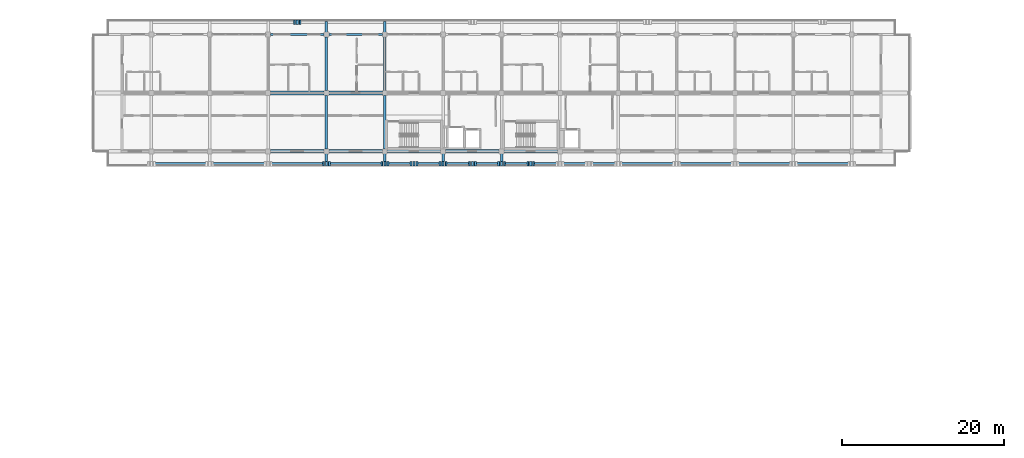
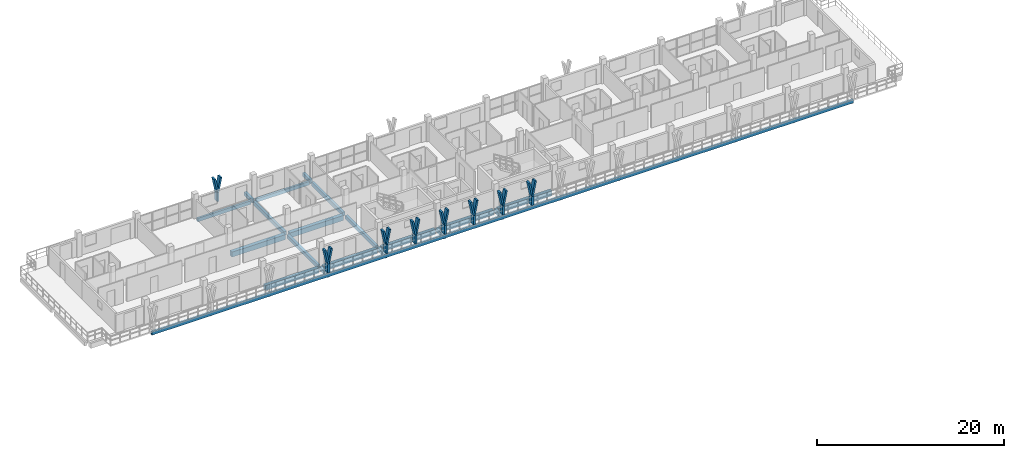
# One storey, part 10 of 67: 24 members, 20 beams.
"""IFC4 building model written with IfcOpenShell, lengths in metres."""

from ifc_helpers import new_model, si_unit, direction, frame, origin, origin_2d, place, context, subcontext, project, spatial, rectangle, extrude, material, material_profile, profile_set, type_object, element, save


model = new_model("IFC4")

# Units and contexts
model_context = context("Model", 3, precision=1e-05, world=origin(), true_north=direction((0.0, 1.0)))
body_context = subcontext(model_context, "Body", "Model", "MODEL_VIEW")
ifc_project = project(units=[si_unit("LENGTHUNIT", "METRE"), si_unit("AREAUNIT", "SQUARE_METRE"), si_unit("VOLUMEUNIT", "CUBIC_METRE"), si_unit("PLANEANGLEUNIT", "RADIAN"), si_unit("MASSUNIT", "GRAM", prefix="KILO")], contexts=[model_context])

# Site, building, storey
site_placement = place(None, origin())
site = spatial("IfcSite", under=ifc_project, at=site_placement, CompositionType="ELEMENT")
building_placement = place(site_placement, origin())
building = spatial("IfcBuilding", under=site, at=building_placement, Name="Suanplinth Sawtooth Commons", CompositionType="ELEMENT")
storey_placement = place(building_placement, frame((0.0, 0.0, 25.10009765625)))
storey = spatial("IfcBuildingStorey", under=building, at=storey_placement, Name="L07", CompositionType="ELEMENT", Elevation=25.10009765625)

# Beams
ifc_material_1 = material(Name="Precast concrete C40/50", Category="concrete")
ifc_material_profile_1 = material_profile(ifc_material_1, rectangle(XDim=0.449951171875, YDim=0.64990234375, at=origin_2d()), Name="PC-GDR 450x650")
ifc_profile_set_1 = profile_set([ifc_material_profile_1], Name="Precast concrete C40/50")
beam_type_1 = type_object("IfcBeamType", Name="B-04", PredefinedType="USERDEFINED", material=ifc_profile_set_1)
for number, where, z_axis, x_axis, name in (
    (1, (29.10009765625, 108.0, -0.545166015625), (1.0, 0.0, 0.0), (0.0, 1.0, 0.0), "BMX-L07-A-4-15"),
    (2, (29.10009765625, 115.199951171875, -0.545166015625), (1.0, 0.0, 0.0), (0.0, 1.0, 0.0), "BMX-L07-A-4-16"),
    (3, (36.300048828125, 108.0, -0.545166015625), (1.0, 0.0, 0.0), (0.0, 1.0, 0.0), "BMX-L07-A-5-15"),
    (4, (36.300048828125, 115.199951171875, -0.545166015625), (1.0, 0.0, 0.0), (0.0, 1.0, 0.0), "BMX-L07-A-5-16"),
):
    element("IfcBeam", number, at=place(storey_placement, frame(where, z_axis=z_axis, x_axis=x_axis)), inside=storey, type_object=beam_type_1, Name=name, ObjectType="GIRDER", PredefinedType="USERDEFINED", context=body_context, shape_type="SweptSolid", body=[
        extrude(rectangle(XDim=0.449951171875, YDim=0.64990234375, at=origin_2d()), origin(), (0.0, 0.0, 1.0), 6.599853515625),
    ])
for number, where, z_axis, x_axis, name in (
    (5, (43.5, 108.0, -0.545166015625), (1.0, 0.0, 0.0), (0.0, 1.0, 0.0), "BMX-L07-A-6-15"),
    (6, (50.699951171875, 108.0, -0.545166015625), (1.0, 0.0, 0.0), (0.0, 1.0, 0.0), "BMX-L07-A-7-15"),
    (7, (57.89990234375, 108.0, -0.545166015625), (1.0, 0.0, 0.0), (0.0, 1.0, 0.0), "BMX-L07-A-8-15"),
):
    element("IfcBeam", number, at=place(storey_placement, frame(where, z_axis=z_axis, x_axis=x_axis)), inside=storey, type_object=beam_type_1, Name=name, ObjectType="GIRDER", PredefinedType="USERDEFINED", context=body_context, shape_type="SweptSolid", body=[
        extrude(rectangle(XDim=0.449951171875, YDim=0.64990234375, at=origin_2d()), origin(), (0.0, 0.0, 1.0), 6.60009765625),
    ])
ifc_material_profile_2 = material_profile(ifc_material_1, rectangle(XDim=0.300048828125, YDim=0.5, at=origin_2d()), Name="PC-BM 300x500")
ifc_profile_set_2 = profile_set([ifc_material_profile_2], Name="Precast concrete C40/50")
beam_type_2 = type_object("IfcBeamType", Name="B-07", PredefinedType="BEAM", material=ifc_profile_set_2)
beam_1_placement = place(storey_placement, frame((36.0, 108.300048828125, -0.47021484375), z_axis=(0.0, 1.0, 0.0), x_axis=(-1.0, 0.0, 0.0)))
element("IfcBeam", 8, at=beam_1_placement, inside=storey, type_object=beam_type_2, Name="BMY-L07-A-5-15", PredefinedType="BEAM", context=body_context, shape_type="SweptSolid", body=[
    extrude(rectangle(XDim=0.300048828125, YDim=0.5, at=origin_2d()), origin(), (0.0, 0.0, 1.0), 6.599853515625),
])
beam_2_placement = place(storey_placement, frame((36.0, 115.5, -0.47021484375), z_axis=(0.0, 1.0, 0.0), x_axis=(-1.0, 0.0, 0.0)))
element("IfcBeam", 9, at=beam_2_placement, inside=storey, type_object=beam_type_2, Name="BMY-L07-A-5-16", PredefinedType="BEAM", context=body_context, shape_type="SweptSolid", body=[
    extrude(rectangle(XDim=0.300048828125, YDim=0.5, at=origin_2d()), origin(), (0.0, 0.0, 1.0), 6.60009765625),
])
beam_3_placement = place(storey_placement, frame((43.199951171875, 108.300048828125, -0.47021484375), z_axis=(0.0, 1.0, 0.0), x_axis=(-1.0, 0.0, 0.0)))
element("IfcBeam", 10, at=beam_3_placement, inside=storey, type_object=beam_type_2, Name="BMY-L07-A-6-15", PredefinedType="BEAM", context=body_context, shape_type="SweptSolid", body=[
    extrude(rectangle(XDim=0.300048828125, YDim=0.5, at=origin_2d()), origin(), (0.0, 0.0, 1.0), 6.599853515625),
])
beam_4_placement = place(storey_placement, frame((43.199951171875, 115.5, -0.47021484375), z_axis=(0.0, 1.0, 0.0), x_axis=(-1.0, 0.0, 0.0)))
element("IfcBeam", 11, at=beam_4_placement, inside=storey, type_object=beam_type_2, Name="BMY-L07-A-6-16", PredefinedType="BEAM", context=body_context, shape_type="SweptSolid", body=[
    extrude(rectangle(XDim=0.300048828125, YDim=0.5, at=origin_2d()), origin(), (0.0, 0.0, 1.0), 6.60009765625),
])
for number, where, z_axis, x_axis, name in (
    (12, (36.0, 122.39990234375, -0.43017578125), (0.0, 1.0, 0.0), (-1.0, 0.0, 0.0), "Balcony Outrigger L07-A-N-5"),
    (13, (43.199951171875, 122.39990234375, -0.43017578125), (0.0, 1.0, 0.0), (-1.0, 0.0, 0.0), "Balcony Outrigger L07-A-N-6"),
):
    element("IfcBeam", number, at=place(storey_placement, frame(where, z_axis=z_axis, x_axis=x_axis)), inside=storey, type_object=beam_type_2, Name=name, PredefinedType="BEAM", context=body_context, shape_type="SweptSolid", body=[
        extrude(rectangle(XDim=0.300048828125, YDim=0.5, at=origin_2d()), origin(), (0.0, 0.0, 1.0), 1.64013671875),
    ])
for number, where, z_axis, x_axis, name in (
    (14, (36.0, 108.0, -0.43017578125), (0.0, -1.0, 0.0), (1.0, 0.0, 0.0), "Balcony Outrigger L07-A-S-5"),
    (15, (43.199951171875, 108.0, -0.43017578125), (0.0, -1.0, 0.0), (1.0, 0.0, 0.0), "Balcony Outrigger L07-A-S-6"),
    (16, (50.39990234375, 108.0, -0.43017578125), (0.0, -1.0, 0.0), (1.0, 0.0, 0.0), "Balcony Outrigger L07-A-S-7"),
    (17, (57.60009765625, 108.0, -0.43017578125), (0.0, -1.0, 0.0), (1.0, 0.0, 0.0), "Balcony Outrigger L07-A-S-8"),
):
    element("IfcBeam", number, at=place(storey_placement, frame(where, z_axis=z_axis, x_axis=x_axis)), inside=storey, type_object=beam_type_2, Name=name, PredefinedType="BEAM", context=body_context, shape_type="SweptSolid", body=[
        extrude(rectangle(XDim=0.300048828125, YDim=0.5, at=origin_2d()), origin(), (0.0, 0.0, 1.0), 1.639892578125),
    ])
ifc_material_profile_3 = material_profile(ifc_material_1, rectangle(XDim=0.25, YDim=0.449951171875, at=origin_2d()), Name="PC-SP 250x450")
ifc_profile_set_3 = profile_set([ifc_material_profile_3], Name="Precast concrete C40/50")
beam_type_3 = type_object("IfcBeamType", Name="B-09", PredefinedType="SPANDREL", material=ifc_profile_set_3)
for number, where, z_axis, x_axis, name in (
    (18, (29.10009765625, 122.39990234375, -0.445068359375), (1.0, 0.0, 0.0), (0.0, 1.0, 0.0), "BMX-L07-A-4-17"),
    (19, (36.300048828125, 122.39990234375, -0.445068359375), (1.0, 0.0, 0.0), (0.0, 1.0, 0.0), "BMX-L07-A-5-17"),
):
    element("IfcBeam", number, at=place(storey_placement, frame(where, z_axis=z_axis, x_axis=x_axis)), inside=storey, type_object=beam_type_3, Name=name, PredefinedType="SPANDREL", context=body_context, shape_type="SweptSolid", body=[
        extrude(rectangle(XDim=0.25, YDim=0.449951171875, at=origin_2d()), origin(), (0.0, 0.0, 1.0), 6.599853515625),
    ])
beam_5_placement = place(storey_placement, frame((14.25, 106.47998046875, -0.405029296875), z_axis=(1.0, 0.0, 0.0), x_axis=(0.0, 1.0, 0.0)))
element("IfcBeam", 20, at=beam_5_placement, inside=storey, type_object=beam_type_3, Name="Balcony Edge Fascia L07-A-S", PredefinedType="SPANDREL", context=body_context, shape_type="SweptSolid", body=[
    extrude(rectangle(XDim=0.25, YDim=0.449951171875, at=origin_2d()), origin(), (0.0, 0.0, 1.0), 86.699951171875),
])

# Members
ifc_material_2 = material(Name="Pigmented precast concrete C40/50", Category="concrete")
ifc_material_profile_4 = material_profile(ifc_material_2, rectangle(XDim=0.260009765625, YDim=0.550048828125, at=origin_2d()), Name="PC-FIN 260x550")
ifc_profile_set_4 = profile_set([ifc_material_profile_4], Name="Pigmented precast concrete C40/50")
member_type_1 = type_object("IfcMemberType", Name="M-09", PredefinedType="USERDEFINED", material=ifc_profile_set_4)
for number, where, z_axis, x_axis, name in (
    (21, (32.39990234375, 123.919921875, 0.0), (0.0, 0.0, 1.0), (1.0, 0.0, 0.0), "Y-Blade Stem L07-A-N-01"),
    (22, (36.0, 106.47998046875, 0.0), (0.0, 0.0, 1.0), (1.0, 0.0, 0.0), "Y-Blade Stem L07-A-S-08"),
    (23, (43.199951171875, 106.47998046875, 0.0), (0.0, 0.0, 1.0), (1.0, 0.0, 0.0), "Y-Blade Stem L07-A-S-09"),
    (24, (46.800048828125, 106.47998046875, 0.0), (0.0, 0.0, 1.0), (1.0, 0.0, 0.0), "Y-Blade Stem L07-A-S-10"),
    (25, (50.39990234375, 106.47998046875, 0.0), (0.0, 0.0, 1.0), (1.0, 0.0, 0.0), "Y-Blade Stem L07-A-S-11"),
    (26, (54.0, 106.47998046875, 0.0), (0.0, 0.0, 1.0), (1.0, 0.0, 0.0), "Y-Blade Stem L07-A-S-12"),
    (27, (57.60009765625, 106.47998046875, 0.0), (0.0, 0.0, 1.0), (1.0, 0.0, 0.0), "Y-Blade Stem L07-A-S-13"),
    (28, (61.199951171875, 106.47998046875, 0.0), (0.0, 0.0, 1.0), (1.0, 0.0, 0.0), "Y-Blade Stem L07-A-S-14"),
):
    element("IfcMember", number, at=place(storey_placement, frame(where, z_axis=z_axis, x_axis=x_axis)), inside=storey, type_object=member_type_1, Name=name, ObjectType="SHADING FIN", PredefinedType="USERDEFINED", context=body_context, shape_type="SweptSolid", body=[
        extrude(rectangle(XDim=0.260009765625, YDim=0.550048828125, at=origin_2d()), origin(), (0.0, 0.0, 1.0), 1.169921875),
    ])
ifc_material_profile_5 = material_profile(ifc_material_2, rectangle(XDim=0.219970703125, YDim=0.550048828125, at=origin_2d()), Name="PC-FIN 220x550")
ifc_profile_set_5 = profile_set([ifc_material_profile_5], Name="Pigmented precast concrete C40/50")
member_type_2 = type_object("IfcMemberType", Name="M-10", PredefinedType="USERDEFINED", material=ifc_profile_set_5)
member_1_placement = place(storey_placement, frame((32.39990234375, 123.919921875, 1.1298828125), z_axis=(-0.196309979414, 0.0, 0.980541886909), x_axis=(0.980541886909, 0.0, 0.196309979414)))
element("IfcMember", 29, at=member_1_placement, inside=storey, type_object=member_type_2, Name="Y-Blade Arm L L07-A-N-01", ObjectType="SHADING FIN", PredefinedType="USERDEFINED", context=body_context, shape_type="SweptSolid", body=[
    extrude(rectangle(XDim=0.219970703125, YDim=0.550048828125, at=origin_2d()), origin(), (0.0, 0.0, 1.0), 1.9375),
])
for number, where, z_axis, x_axis, name in (
    (30, (32.39990234375, 123.919921875, 1.1298828125), (0.196431120402, 0.0, 0.980517626021), (-0.980517626021, 0.0, 0.196431120402), "Y-Blade Arm R L07-A-N-01"),
    (31, (36.0, 106.47998046875, 1.1298828125), (-0.196431120402, 0.0, 0.980517626021), (0.980517626021, 0.0, 0.196431120402), "Y-Blade Arm L L07-A-S-08"),
    (32, (36.0, 106.47998046875, 1.1298828125), (0.196431120402, 0.0, 0.980517626021), (-0.980517626021, 0.0, 0.196431120402), "Y-Blade Arm R L07-A-S-08"),
):
    element("IfcMember", number, at=place(storey_placement, frame(where, z_axis=z_axis, x_axis=x_axis)), inside=storey, type_object=member_type_2, Name=name, ObjectType="SHADING FIN", PredefinedType="USERDEFINED", context=body_context, shape_type="SweptSolid", body=[
        extrude(rectangle(XDim=0.219970703125, YDim=0.550048828125, at=origin_2d()), origin(), (0.0, 0.0, 1.0), 1.937744140625),
    ])
member_2_placement = place(storey_placement, frame((43.199951171875, 106.47998046875, 1.1298828125), z_axis=(-0.196309979414, 0.0, 0.980541886909), x_axis=(0.980541886909, 0.0, 0.196309979414)))
element("IfcMember", 33, at=member_2_placement, inside=storey, type_object=member_type_2, Name="Y-Blade Arm L L07-A-S-09", ObjectType="SHADING FIN", PredefinedType="USERDEFINED", context=body_context, shape_type="SweptSolid", body=[
    extrude(rectangle(XDim=0.219970703125, YDim=0.550048828125, at=origin_2d()), origin(), (0.0, 0.0, 1.0), 1.9375),
])
for number, where, z_axis, x_axis, name in (
    (34, (43.199951171875, 106.47998046875, 1.1298828125), (0.196431120402, 0.0, 0.980517626021), (-0.980517626021, 0.0, 0.196431120402), "Y-Blade Arm R L07-A-S-09"),
    (35, (46.800048828125, 106.47998046875, 1.1298828125), (-0.196431120402, 0.0, 0.980517626021), (0.980517626021, 0.0, 0.196431120402), "Y-Blade Arm L L07-A-S-10"),
):
    element("IfcMember", number, at=place(storey_placement, frame(where, z_axis=z_axis, x_axis=x_axis)), inside=storey, type_object=member_type_2, Name=name, ObjectType="SHADING FIN", PredefinedType="USERDEFINED", context=body_context, shape_type="SweptSolid", body=[
        extrude(rectangle(XDim=0.219970703125, YDim=0.550048828125, at=origin_2d()), origin(), (0.0, 0.0, 1.0), 1.937744140625),
    ])
for number, where, z_axis, x_axis, name in (
    (36, (46.800048828125, 106.47998046875, 1.1298828125), (0.196309979414, 0.0, 0.980541886909), (-0.980541886909, 0.0, 0.196309979414), "Y-Blade Arm R L07-A-S-10"),
    (37, (50.39990234375, 106.47998046875, 1.1298828125), (-0.196309979414, 0.0, 0.980541886909), (0.980541886909, 0.0, 0.196309979414), "Y-Blade Arm L L07-A-S-11"),
):
    element("IfcMember", number, at=place(storey_placement, frame(where, z_axis=z_axis, x_axis=x_axis)), inside=storey, type_object=member_type_2, Name=name, ObjectType="SHADING FIN", PredefinedType="USERDEFINED", context=body_context, shape_type="SweptSolid", body=[
        extrude(rectangle(XDim=0.219970703125, YDim=0.550048828125, at=origin_2d()), origin(), (0.0, 0.0, 1.0), 1.9375),
    ])
for number, where, z_axis, x_axis, name in (
    (38, (50.39990234375, 106.47998046875, 1.1298828125), (0.196431120402, 0.0, 0.980517626021), (-0.980517626021, 0.0, 0.196431120402), "Y-Blade Arm R L07-A-S-11"),
    (39, (54.0, 106.47998046875, 1.1298828125), (-0.196431120402, 0.0, 0.980517626021), (0.980517626021, 0.0, 0.196431120402), "Y-Blade Arm L L07-A-S-12"),
    (40, (54.0, 106.47998046875, 1.1298828125), (0.196431120402, 0.0, 0.980517626021), (-0.980517626021, 0.0, 0.196431120402), "Y-Blade Arm R L07-A-S-12"),
    (41, (57.60009765625, 106.47998046875, 1.1298828125), (-0.196431120402, 0.0, 0.980517626021), (0.980517626021, 0.0, 0.196431120402), "Y-Blade Arm L L07-A-S-13"),
):
    element("IfcMember", number, at=place(storey_placement, frame(where, z_axis=z_axis, x_axis=x_axis)), inside=storey, type_object=member_type_2, Name=name, ObjectType="SHADING FIN", PredefinedType="USERDEFINED", context=body_context, shape_type="SweptSolid", body=[
        extrude(rectangle(XDim=0.219970703125, YDim=0.550048828125, at=origin_2d()), origin(), (0.0, 0.0, 1.0), 1.937744140625),
    ])
for number, where, z_axis, x_axis, name in (
    (42, (57.60009765625, 106.47998046875, 1.1298828125), (0.196309979414, 0.0, 0.980541886909), (-0.980541886909, 0.0, 0.196309979414), "Y-Blade Arm R L07-A-S-13"),
    (43, (61.199951171875, 106.47998046875, 1.1298828125), (-0.196309979414, 0.0, 0.980541886909), (0.980541886909, 0.0, 0.196309979414), "Y-Blade Arm L L07-A-S-14"),
):
    element("IfcMember", number, at=place(storey_placement, frame(where, z_axis=z_axis, x_axis=x_axis)), inside=storey, type_object=member_type_2, Name=name, ObjectType="SHADING FIN", PredefinedType="USERDEFINED", context=body_context, shape_type="SweptSolid", body=[
        extrude(rectangle(XDim=0.219970703125, YDim=0.550048828125, at=origin_2d()), origin(), (0.0, 0.0, 1.0), 1.9375),
    ])
member_3_placement = place(storey_placement, frame((61.199951171875, 106.47998046875, 1.1298828125), z_axis=(0.196431120402, 0.0, 0.980517626021), x_axis=(-0.980517626021, 0.0, 0.196431120402)))
element("IfcMember", 44, at=member_3_placement, inside=storey, type_object=member_type_2, Name="Y-Blade Arm R L07-A-S-14", ObjectType="SHADING FIN", PredefinedType="USERDEFINED", context=body_context, shape_type="SweptSolid", body=[
    extrude(rectangle(XDim=0.219970703125, YDim=0.550048828125, at=origin_2d()), origin(), (0.0, 0.0, 1.0), 1.937744140625),
])

save(model, "model.ifc")
